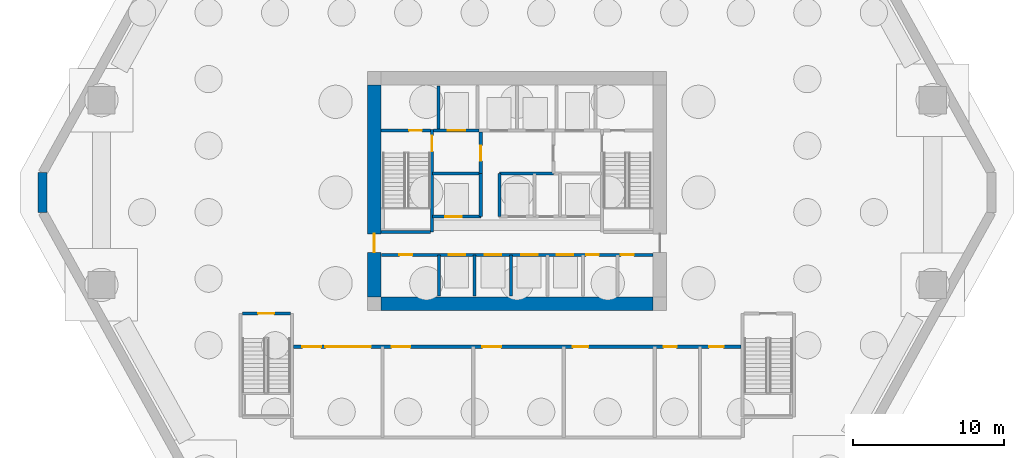
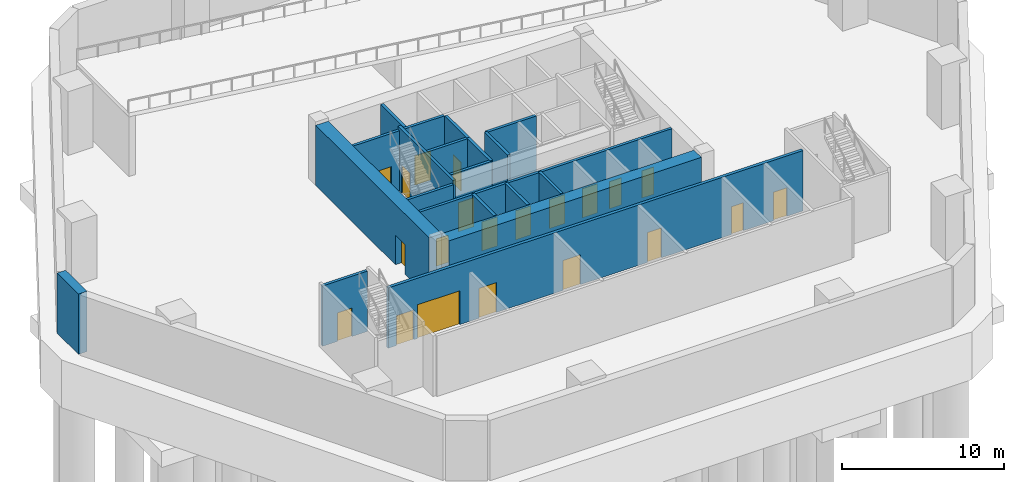
# One storey, part 3 of 9: 21 doors, 20 walls, 21 openings.
"""IFC4 building model written with IfcOpenShell, lengths in metres."""

import ifcopenshell
import ifcopenshell.guid

model = None  # the IFC model being written
_history = None  # IfcOwnerHistory: only IFC2X3 demands one
_inside = {}  # id of a spatial element -> (the spatial element, [elements in it])
_under = {}  # id of a project, library or spatial element -> (it, [spatial elements below it])
_declared = {}  # id of a project -> (the project, [libraries it declares])
_typed = {}  # id of a type object -> (the type object, [elements of that type])
_made_of = {}  # id of a material, layer set ... -> (it, [elements and type objects made of it])


def new_model(schema):
    """Start an empty IFC model of exactly this schema.

    Asked for "IFC4X3", IfcOpenShell would pick the latest addendum, in which some entities
    have other attributes; the version numbers below select the first issue.
    IFC2X3 requires an IfcOwnerHistory on every rooted entity: one is made here for all.
    """
    global model, _history
    if schema == "IFC4X3":
        model = ifcopenshell.file(schema_version=(4, 3, 0, 0))
    else:
        model = ifcopenshell.file(schema=schema)
    _inside.clear()
    _under.clear()
    _declared.clear()
    _typed.clear()
    _made_of.clear()
    _history = None
    if model.schema == "IFC2X3":
        org = make("IfcOrganization", Name="unknown")
        user = make(
            "IfcPersonAndOrganization",
            ThePerson=make("IfcPerson", FamilyName="unknown"),
            TheOrganization=org,
        )
        app = make(
            "IfcApplication",
            ApplicationDeveloper=org,
            Version="unknown",
            ApplicationFullName="unknown",
            ApplicationIdentifier="unknown",
        )
        _history = make(
            "IfcOwnerHistory",
            OwningUser=user,
            OwningApplication=app,
            ChangeAction="ADDED",
            CreationDate=0,
        )
    return model


def make(cls, **values):
    """One entity of the class cls with the attributes given. An attribute that is None is left unset."""
    return model.create_entity(
        cls, **{name: value for name, value in values.items() if value is not None}
    )


def rooted(cls, **values):
    """An entity with a GlobalId (a new one), such as an element, a storey or a relation."""
    return make(cls, GlobalId=ifcopenshell.guid.new(), OwnerHistory=_history, **values)


def si_unit(unit_type, name, prefix=None):
    """IfcSIUnit, for example si_unit("LENGTHUNIT", "METRE", prefix="MILLI")."""
    return make("IfcSIUnit", UnitType=unit_type, Prefix=prefix, Name=name)


def assignment(units):
    """IfcUnitAssignment: the units of a project."""
    return None if units is None else make("IfcUnitAssignment", Units=units)


def point(xyz):
    """IfcCartesianPoint."""
    return None if xyz is None else make("IfcCartesianPoint", Coordinates=xyz)


def direction(xyz):
    """IfcDirection."""
    return None if xyz is None else make("IfcDirection", DirectionRatios=xyz)


def frame(location, z_axis=None, x_axis=None):
    """IfcAxis2Placement3D, a coordinate frame: its origin and axes. An axis left out is left unset."""
    return make(
        "IfcAxis2Placement3D",
        Location=point(location),
        Axis=direction(z_axis),
        RefDirection=direction(x_axis),
    )


def frame_2d(location, x_axis=None):
    """IfcAxis2Placement2D, a coordinate frame in the plane: its origin and x axis."""
    return make(
        "IfcAxis2Placement2D", Location=point(location), RefDirection=direction(x_axis)
    )


def origin():
    """The frame at (0, 0, 0) with its axes left unset."""
    return frame((0.0, 0.0, 0.0))


def place(relative_to, where):
    """IfcLocalPlacement: puts the frame where relative to a parent placement (None: the world)."""
    return make(
        "IfcLocalPlacement", PlacementRelTo=relative_to, RelativePlacement=where
    )


def context(
    kind, dimensions, precision=None, world=None, true_north=None, identifier=None
):
    """IfcGeometricRepresentationContext, for example the 3D "Model" context."""
    return make(
        "IfcGeometricRepresentationContext",
        ContextIdentifier=identifier,
        ContextType=kind,
        CoordinateSpaceDimension=dimensions,
        Precision=precision,
        WorldCoordinateSystem=world,
        TrueNorth=true_north,
    )


def subcontext(parent, identifier, kind, view, scale=None):
    """IfcGeometricRepresentationSubContext, for example "Body" below "Model"."""
    return make(
        "IfcGeometricRepresentationSubContext",
        ContextIdentifier=identifier,
        ContextType=kind,
        ParentContext=parent,
        TargetScale=scale,
        TargetView=view,
    )


def project(units=None, contexts=None):
    """IfcProject with its units and contexts."""
    return rooted(
        "IfcProject",
        Name="project",
        RepresentationContexts=contexts,
        UnitsInContext=assignment(units),
    )


def spatial(cls, under=None, at=None, **own):
    """A site, building, storey or space (cls), placed at a placement, below another one or the project."""
    s = rooted(cls, ObjectPlacement=at, **own)
    if under is not None:
        _under.setdefault(under.id(), (under, []))[1].append(s)
    return s


def profile(cls, at=None, kind="AREA", **sizes):
    """A parametric profile (cls). Its sizes go by their IFC names, for example OverallWidth=200.0."""
    return make(cls, ProfileType=kind, Position=at, **sizes)


def rectangle(**sizes):
    """IfcRectangleProfileDef."""
    return profile("IfcRectangleProfileDef", **sizes)


def extrude(swept, where, along, depth):
    """IfcExtrudedAreaSolid: the profile swept, set in the frame where, extruded along a direction by depth."""
    return make(
        "IfcExtrudedAreaSolid",
        SweptArea=swept,
        Position=where,
        ExtrudedDirection=direction(along),
        Depth=depth,
    )


def shape(context_of_items, identifier, shape_type, items):
    """IfcShapeRepresentation: the items that make up one representation, for example the "Body"."""
    return make(
        "IfcShapeRepresentation",
        ContextOfItems=context_of_items,
        RepresentationIdentifier=identifier,
        RepresentationType=shape_type,
        Items=items,
    )


def material(Name=None, Category=None):
    """IfcMaterial."""
    return make("IfcMaterial", Name=Name, Category=Category)


def layer(
    of_material, thickness, ventilated=None, Name=None, Category=None, Priority=None
):
    """IfcMaterialLayer: one layer of a wall or slab, of a material (None: an air gap)."""
    return make(
        "IfcMaterialLayer",
        Material=of_material,
        LayerThickness=thickness,
        IsVentilated=ventilated,
        Name=Name,
        Category=Category,
        Priority=Priority,
    )


def layer_set(layers, Name=None):
    """IfcMaterialLayerSet."""
    return make("IfcMaterialLayerSet", MaterialLayers=layers, LayerSetName=Name)


def made_of(thing, what):
    """Note that an element or type object is made of a material, layer set ...; save() writes the relation."""
    if what is not None:
        _made_of.setdefault(what.id(), (what, []))[1].append(thing)
    return thing


def type_object(cls, material=None, **own):
    """A type object (cls), such as IfcWallType, which elements share."""
    return made_of(rooted(cls, **own), material)


def element(
    cls,
    number,
    at=None,
    inside=None,
    cuts=None,
    type_object=None,
    material=None,
    context=None,
    identifier="Body",
    shape_type=None,
    held_by="IfcProductDefinitionShape",
    body=None,
    shapes=None,
    **own,
):
    """One element of the class cls, such as IfcWall. Its Tag is "e" and its number.

    at: its placement. inside: the storey or other place that contains it. cuts: it is an
    opening in that element (IfcRelVoidsElement). A single representation is given by context,
    identifier, shape_type and body (its items); several are given by shapes. held_by: the class
    of the entity that holds the representations. save() writes the other relations.
    """
    e = rooted(cls, Tag="e%d" % number, ObjectPlacement=at, **own)
    if body is not None:
        shapes = [shape(context, identifier, shape_type, body)]
    if shapes is not None:
        e.Representation = make(held_by, Representations=shapes)
    if inside is not None:
        _inside.setdefault(inside.id(), (inside, []))[1].append(e)
    if cuts is not None:
        rooted(
            "IfcRelVoidsElement", RelatingBuildingElement=cuts, RelatedOpeningElement=e
        )
    if type_object is not None:
        _typed.setdefault(type_object.id(), (type_object, []))[1].append(e)
    return made_of(e, material)


def fill(opening, filler):
    """IfcRelFillsElement: the door or window that sits in an opening."""
    return rooted(
        "IfcRelFillsElement",
        RelatingOpeningElement=opening,
        RelatedBuildingElement=filler,
    )


def aggregate(whole, parts):
    """IfcRelAggregates: a whole, such as a stair, and the parts it consists of."""
    return rooted("IfcRelAggregates", RelatingObject=whole, RelatedObjects=parts)


def save(model, path):
    """Write the relations noted so far, then the file.

    IfcRelAggregates (storeys below a building ...), IfcRelContainedInSpatialStructure (elements
    in a storey), IfcRelDefinesByType, IfcRelAssociatesMaterial and IfcRelDeclares: one each for
    every whole, place, type object, material and project.
    """
    for whole, parts in _under.values():
        aggregate(whole, parts)
    for where, things in _inside.values():
        rooted(
            "IfcRelContainedInSpatialStructure",
            RelatedElements=things,
            RelatingStructure=where,
        )
    for kind, things in _typed.values():
        rooted("IfcRelDefinesByType", RelatedObjects=things, RelatingType=kind)
    for what, things in _made_of.values():
        rooted("IfcRelAssociatesMaterial", RelatedObjects=things, RelatingMaterial=what)
    for by, libraries in _declared.values():
        rooted("IfcRelDeclares", RelatingContext=by, RelatedDefinitions=libraries)
    model.write(path)


model = new_model("IFC4")

# Units and contexts
model_context = context("Model", 3, precision=1e-05, world=origin(), true_north=direction((0.0, 1.0)))
body_context = subcontext(model_context, "Body", "Model", "MODEL_VIEW")
ifc_project = project(units=[si_unit("LENGTHUNIT", "METRE"), si_unit("AREAUNIT", "SQUARE_METRE"), si_unit("VOLUMEUNIT", "CUBIC_METRE"), si_unit("PLANEANGLEUNIT", "RADIAN"), si_unit("MASSUNIT", "GRAM", prefix="KILO")], contexts=[model_context])

# Site, building, storey
site_placement = place(None, origin())
site = spatial("IfcSite", under=ifc_project, at=site_placement, CompositionType="ELEMENT")
building_placement = place(site_placement, origin())
building = spatial("IfcBuilding", under=site, at=building_placement, Name="Cinnabar Lancet Tower", CompositionType="ELEMENT")
storey_placement = place(building_placement, frame((0.0, 0.0, -4.800048828125)))
storey = spatial("IfcBuildingStorey", under=building, at=storey_placement, Name="B1", CompositionType="ELEMENT", Elevation=-4.800048828125)

# Wall, openings, doors
ifc_material_1 = material(Name="Acoustic masonry plant room wall", Category="masonry")
ifc_layer_1 = layer(ifc_material_1, 0.219970703125)
ifc_layer_set_1 = layer_set([ifc_layer_1], Name="Acoustic masonry plant room wall")
wall_type_1 = type_object("IfcWallType", Name="ARC-WL-PLANT-220", PredefinedType="PARTITIONING", material=ifc_layer_set_1)
wall_1_placement = place(storey_placement, frame((17.625, 15.60009765625, 0.0), z_axis=(0.0, 0.0, 1.0), x_axis=(1.0, 0.0, 0.0)))
wall_1 = element("IfcWall", 1, at=wall_1_placement, inside=storey, type_object=wall_type_1, Name="PW-B1-PLN", PredefinedType="PARTITIONING", context=body_context, shape_type="SweptSolid", body=[
    extrude(rectangle(XDim=29.590087890625, YDim=0.219970703125, at=frame_2d((14.794921875, 0.0))), origin(), (0.0, 0.0, 1.0), 4.550048828125),
])
opening_1_placement = place(wall_1_placement, frame((0.574951171875, 0.0, 0.0)))
opening_1 = element("IfcOpeningElement", 2, at=opening_1_placement, cuts=wall_1, Name="Opening PD-01", PredefinedType="OPENING", context=body_context, shape_type="SweptSolid", body=[
    extrude(rectangle(XDim=1.25, YDim=2.25, at=frame_2d((0.625, 1.125))), frame((0.0, 0.119873046875, 0.0), z_axis=(0.0, -1.0, 0.0), x_axis=(1.0, 0.0, 0.0)), (0.0, 0.0, 1.0), 0.239990234375),
])
opening_2_placement = place(wall_1_placement, frame((6.47509765625, 0.0, 0.0)))
opening_2 = element("IfcOpeningElement", 3, at=opening_2_placement, cuts=wall_1, Name="Opening PD-01", PredefinedType="OPENING", context=body_context, shape_type="SweptSolid", body=[
    extrude(rectangle(XDim=1.25, YDim=2.25, at=frame_2d((0.625, 1.125))), frame((0.0, 0.119873046875, 0.0), z_axis=(0.0, -1.0, 0.0), x_axis=(1.0, 0.0, 0.0)), (0.0, 0.0, 1.0), 0.239990234375),
])
opening_3_placement = place(wall_1_placement, frame((12.47509765625, 0.0, 0.0)))
opening_3 = element("IfcOpeningElement", 4, at=opening_3_placement, cuts=wall_1, Name="Opening PD-01", PredefinedType="OPENING", context=body_context, shape_type="SweptSolid", body=[
    extrude(rectangle(XDim=1.25, YDim=2.25, at=frame_2d((0.625, 1.125))), frame((0.0, 0.119873046875, 0.0), z_axis=(0.0, -1.0, 0.0), x_axis=(1.0, 0.0, 0.0)), (0.0, 0.0, 1.0), 0.239990234375),
])
opening_4_placement = place(wall_1_placement, frame((18.47509765625, 0.0, 0.0)))
opening_4 = element("IfcOpeningElement", 5, at=opening_4_placement, cuts=wall_1, Name="Opening UD-01", PredefinedType="OPENING", context=body_context, shape_type="SweptSolid", body=[
    extrude(rectangle(XDim=1.02001953125, YDim=2.25, at=frame_2d((0.510009765625, 1.125))), frame((0.0, 0.119873046875, 0.0), z_axis=(0.0, -1.0, 0.0), x_axis=(1.0, 0.0, 0.0)), (0.0, 0.0, 1.0), 0.239990234375),
])
opening_5_placement = place(wall_1_placement, frame((24.47509765625, 0.0, 0.0)))
opening_5 = element("IfcOpeningElement", 6, at=opening_5_placement, cuts=wall_1, Name="Opening BD-01", PredefinedType="OPENING", context=body_context, shape_type="SweptSolid", body=[
    extrude(rectangle(XDim=0.860107421875, YDim=2.10009765625, at=frame_2d((0.43017578125, 1.050048828125))), frame((0.0, 0.119873046875, 0.0), z_axis=(0.0, -1.0, 0.0), x_axis=(1.0, 0.0, 0.0)), (0.0, 0.0, 1.0), 0.239990234375),
])
opening_6_placement = place(wall_1_placement, frame((27.47509765625, 0.0, 0.0)))
opening_6 = element("IfcOpeningElement", 7, at=opening_6_placement, cuts=wall_1, Name="Opening BD-02", PredefinedType="OPENING", context=body_context, shape_type="SweptSolid", body=[
    extrude(rectangle(XDim=0.9599609375, YDim=2.14990234375, at=frame_2d((0.47998046875, 1.074951171875))), frame((0.0, 0.119873046875, 0.0), z_axis=(0.0, -1.0, 0.0), x_axis=(1.0, 0.0, 0.0)), (0.0, 0.0, 1.0), 0.239990234375),
])
opening_7_placement = place(wall_1_placement, frame((2.10009765625, 0.0, 0.0)))
opening_7 = element("IfcOpeningElement", 8, at=opening_7_placement, cuts=wall_1, Name="Opening SG-03", PredefinedType="OPENING", context=body_context, shape_type="SweptSolid", body=[
    extrude(rectangle(XDim=3.0, YDim=2.550048828125, at=frame_2d((1.5, 1.27490234375))), frame((0.0, 0.119873046875, 0.0), z_axis=(0.0, -1.0, 0.0), x_axis=(1.0, 0.0, 0.0)), (0.0, 0.0, 1.0), 0.239990234375),
])
ifc_material_2 = material(Name="Accessible wide-leaf washroom door", Category="wood")
door_type_1 = type_object("IfcDoorType", Name="ARC-DR-ACCWC", OperationType="NOTDEFINED", PredefinedType="DOOR", material=ifc_material_2)
door_1_placement = place(opening_6_placement, origin())
door_1 = element("IfcDoor", 9, at=door_1_placement, inside=storey, type_object=door_type_1, Name="DR-B1-ACCWC", OperationType="SINGLE_SWING_LEFT", OverallHeight=2.14990234375, OverallWidth=0.9599609375, PredefinedType="DOOR", context=body_context, shape_type="SweptSolid", body=[
    extrude(rectangle(XDim=0.9599609375, YDim=2.14990234375, at=frame_2d((0.47998046875, 1.074951171875))), frame((0.0, 0.02490234375, 0.0), z_axis=(0.0, -1.0, 0.0), x_axis=(1.0, 0.0, 0.0)), (0.0, 0.0, 1.0), 0.050048828125),
])
fill(opening_6, door_1)
ifc_material_3 = material(Name="Moisture-resistant timber bathroom door", Category="wood")
door_type_2 = type_object("IfcDoorType", Name="ARC-DR-BATH", OperationType="NOTDEFINED", PredefinedType="DOOR", material=ifc_material_3)
door_2_placement = place(opening_5_placement, origin())
door_2 = element("IfcDoor", 10, at=door_2_placement, inside=storey, type_object=door_type_2, Name="DR-B1-STFWC", OperationType="SINGLE_SWING_LEFT", OverallHeight=2.10009765625, OverallWidth=0.860107421875, PredefinedType="DOOR", context=body_context, shape_type="SweptSolid", body=[
    extrude(rectangle(XDim=0.860107421875, YDim=2.10009765625, at=frame_2d((0.43017578125, 1.050048828125))), frame((0.0, 0.02490234375, 0.0), z_axis=(0.0, -1.0, 0.0), x_axis=(1.0, 0.0, 0.0)), (0.0, 0.0, 1.0), 0.050048828125),
])
fill(opening_5, door_2)
ifc_material_4 = material(Name="Louvred fire-rated steel plant room double door", Category="steel")
door_type_3 = type_object("IfcDoorType", Name="ARC-DR-PLANT", OperationType="NOTDEFINED", PredefinedType="DOOR", material=ifc_material_4)
door_3_placement = place(opening_1_placement, origin())
door_3 = element("IfcDoor", 11, at=door_3_placement, inside=storey, type_object=door_type_3, Name="DR-B1-DOMPMP", OperationType="SINGLE_SWING_LEFT", OverallHeight=2.25, OverallWidth=1.25, PredefinedType="DOOR", context=body_context, shape_type="SweptSolid", body=[
    extrude(rectangle(XDim=1.25, YDim=2.25, at=frame_2d((0.625, 1.125))), frame((0.0, 0.02490234375, 0.0), z_axis=(0.0, -1.0, 0.0), x_axis=(1.0, 0.0, 0.0)), (0.0, 0.0, 1.0), 0.050048828125),
])
fill(opening_1, door_3)
door_4_placement = place(opening_2_placement, origin())
door_4 = element("IfcDoor", 12, at=door_4_placement, inside=storey, type_object=door_type_3, Name="DR-B1-SPRPMP", OperationType="SINGLE_SWING_LEFT", OverallHeight=2.25, OverallWidth=1.25, PredefinedType="DOOR", context=body_context, shape_type="SweptSolid", body=[
    extrude(rectangle(XDim=1.25, YDim=2.25, at=frame_2d((0.625, 1.125))), frame((0.0, 0.02490234375, 0.0), z_axis=(0.0, -1.0, 0.0), x_axis=(1.0, 0.0, 0.0)), (0.0, 0.0, 1.0), 0.050048828125),
])
fill(opening_2, door_4)
door_5_placement = place(opening_3_placement, origin())
door_5 = element("IfcDoor", 13, at=door_5_placement, inside=storey, type_object=door_type_3, Name="DR-B1-GENRM", OperationType="SINGLE_SWING_LEFT", OverallHeight=2.25, OverallWidth=1.25, PredefinedType="DOOR", context=body_context, shape_type="SweptSolid", body=[
    extrude(rectangle(XDim=1.25, YDim=2.25, at=frame_2d((0.625, 1.125))), frame((0.0, 0.02490234375, 0.0), z_axis=(0.0, -1.0, 0.0), x_axis=(1.0, 0.0, 0.0)), (0.0, 0.0, 1.0), 0.050048828125),
])
fill(opening_3, door_5)
ifc_material_5 = material(Name="Galvanized steel interior plant equipment gate", Category="steel")
door_type_4 = type_object("IfcDoorType", Name="ARC-DR-PLT-GATE", OperationType="NOTDEFINED", PredefinedType="GATE", material=ifc_material_5)
door_6_placement = place(opening_7_placement, origin())
door_6 = element("IfcDoor", 14, at=door_6_placement, inside=storey, type_object=door_type_4, Name="B1 Plant Equipment Access Gate 1", OperationType="DOUBLE_DOOR_SINGLE_SWING", OverallHeight=2.550048828125, OverallWidth=3.0, PredefinedType="GATE", context=body_context, shape_type="SweptSolid", body=[
    extrude(rectangle(XDim=3.0, YDim=2.550048828125, at=frame_2d((1.5, 1.27490234375))), frame((0.0, 0.02490234375, 0.0), z_axis=(0.0, -1.0, 0.0), x_axis=(1.0, 0.0, 0.0)), (0.0, 0.0, 1.0), 0.050048828125),
])
fill(opening_7, door_6)
ifc_material_6 = material(Name="Solid timber fire-rated apartment entrance door", Category="wood")
door_type_5 = type_object("IfcDoorType", Name="ARC-DR-UNIT", OperationType="NOTDEFINED", PredefinedType="DOOR", material=ifc_material_6)
door_7_placement = place(opening_4_placement, origin())
door_7 = element("IfcDoor", 15, at=door_7_placement, inside=storey, type_object=door_type_5, Name="DR-B1-CYCLE", OperationType="SINGLE_SWING_LEFT", OverallHeight=2.25, OverallWidth=1.02001953125, PredefinedType="DOOR", context=body_context, shape_type="SweptSolid", body=[
    extrude(rectangle(XDim=1.02001953125, YDim=2.25, at=frame_2d((0.510009765625, 1.125))), frame((0.0, 0.02490234375, 0.0), z_axis=(0.0, -1.0, 0.0), x_axis=(1.0, 0.0, 0.0)), (0.0, 0.0, 1.0), 0.050048828125),
])
fill(opening_4, door_7)

# Wall
ifc_material_7 = material(Name="Autoclaved aerated concrete blockwork", Category="masonry")
ifc_layer_2 = layer(ifc_material_7, 0.199951171875)
ifc_layer_set_2 = layer_set([ifc_layer_2], Name="Autoclaved aerated concrete blockwork")
wall_type_2 = type_object("IfcWallType", Name="ARC-WL-SHAFT-200", PredefinedType="PLUMBINGWALL", material=ifc_layer_set_2)
wall_2_placement = place(storey_placement, frame((23.405029296875, 23.199951171875, 0.0), z_axis=(0.0, 0.0, 1.0), x_axis=(1.0, 0.0, 0.0)))
element("IfcWall", 16, at=wall_2_placement, inside=storey, type_object=wall_type_2, Name="CW-ST1S-B1", PredefinedType="PLUMBINGWALL", context=body_context, shape_type="SweptSolid", body=[
    extrude(rectangle(XDim=3.27001953125, YDim=0.199951171875, at=frame_2d((1.635009765625, 0.0))), origin(), (0.0, 0.0, 1.0), 4.550048828125),
])

# Wall, opening, door
wall_3_placement = place(storey_placement, frame((23.405029296875, 29.89990234375, 0.0), z_axis=(0.0, 0.0, 1.0), x_axis=(1.0, 0.0, 0.0)))
wall_3 = element("IfcWall", 17, at=wall_3_placement, inside=storey, type_object=wall_type_2, Name="CW-NSH-W-B1", PredefinedType="PLUMBINGWALL", context=body_context, shape_type="SweptSolid", body=[
    extrude(rectangle(XDim=3.27001953125, YDim=0.199951171875, at=frame_2d((1.635009765625, 0.0))), origin(), (0.0, 0.0, 1.0), 4.550048828125),
])
opening_8_placement = place(wall_3_placement, frame((1.85009765625, 0.0, 0.0)))
opening_8 = element("IfcOpeningElement", 18, at=opening_8_placement, cuts=wall_3, Name="Opening PD-02", PredefinedType="OPENING", context=body_context, shape_type="SweptSolid", body=[
    extrude(rectangle(XDim=0.85009765625, YDim=2.050048828125, at=frame_2d((0.425048828125, 1.02490234375))), frame((0.0, 0.10986328125, 0.0), z_axis=(0.0, -1.0, 0.0), x_axis=(1.0, 0.0, 0.0)), (0.0, 0.0, 1.0), 0.219970703125),
])
ifc_material_8 = material(Name="Fire-rated steel riser access door", Category="steel")
door_type_6 = type_object("IfcDoorType", Name="ARC-DR-RISER", OperationType="NOTDEFINED", PredefinedType="DOOR", material=ifc_material_8)
door_8_placement = place(opening_8_placement, origin())
door_8 = element("IfcDoor", 19, at=door_8_placement, inside=storey, type_object=door_type_6, Name="B1 West Riser Access Door", OperationType="SINGLE_SWING_LEFT", OverallHeight=2.050048828125, OverallWidth=0.85009765625, PredefinedType="DOOR", context=body_context, shape_type="SweptSolid", body=[
    extrude(rectangle(XDim=0.85009765625, YDim=2.050048828125, at=frame_2d((0.425048828125, 1.02490234375))), frame((0.0, 0.02490234375, 0.0), z_axis=(0.0, -1.0, 0.0), x_axis=(1.0, 0.0, 0.0)), (0.0, 0.0, 1.0), 0.050048828125),
])
fill(opening_8, door_8)

wall_4_placement = place(storey_placement, frame((26.885009765625, 29.89990234375, 0.0), z_axis=(0.0, 0.0, 1.0), x_axis=(1.0, 0.0, 0.0)))
wall_4 = element("IfcWall", 20, at=wall_4_placement, inside=storey, type_object=wall_type_2, Name="CW-FL1-B1", PredefinedType="PLUMBINGWALL", context=body_context, shape_type="SweptSolid", body=[
    extrude(rectangle(XDim=3.014892578125, YDim=0.199951171875, at=frame_2d((1.50732421875, 0.0))), origin(), (0.0, 0.0, 1.0), 4.550048828125),
])
opening_9_placement = place(wall_4_placement, frame((0.93994140625, 0.0, 0.0)))
opening_9 = element("IfcOpeningElement", 21, at=opening_9_placement, cuts=wall_4, Name="Opening LD-02", PredefinedType="OPENING", context=body_context, shape_type="SweptSolid", body=[
    extrude(rectangle(XDim=1.14990234375, YDim=2.199951171875, at=frame_2d((0.574951171875, 1.10009765625))), frame((0.0, 0.10986328125, 0.0), z_axis=(0.0, -1.0, 0.0), x_axis=(1.0, 0.0, 0.0)), (0.0, 0.0, 1.0), 0.219970703125),
])
ifc_material_9 = material(Name="Fire-rated stainless steel firefighting lift landing door", Category="steel")
door_type_7 = type_object("IfcDoorType", Name="ARC-DR-LD-FIRE", OperationType="NOTDEFINED", PredefinedType="DOOR", material=ifc_material_9)
door_9_placement = place(opening_9_placement, origin())
door_9 = element("IfcDoor", 22, at=door_9_placement, inside=storey, type_object=door_type_7, Name="B1 Firefighting Lift FL-1 Landing Door", OperationType="DOUBLE_DOOR_SLIDING", OverallHeight=2.199951171875, OverallWidth=1.14990234375, PredefinedType="DOOR", context=body_context, shape_type="SweptSolid", body=[
    extrude(rectangle(XDim=1.14990234375, YDim=2.199951171875, at=frame_2d((0.574951171875, 1.10009765625))), frame((0.0, 0.02490234375, 0.0), z_axis=(0.0, -1.0, 0.0), x_axis=(1.0, 0.0, 0.0)), (0.0, 0.0, 1.0), 0.050048828125),
])
fill(opening_9, door_9)

# Wall
wall_5_placement = place(storey_placement, frame((27.199951171875, 30.0, 0.0), z_axis=(0.0, 0.0, 1.0), x_axis=(0.0, 1.0, 0.0)))
element("IfcWall", 23, at=wall_5_placement, inside=storey, type_object=wall_type_2, Name="CW-NSH-D1-B1", PredefinedType="PLUMBINGWALL", context=body_context, shape_type="SweptSolid", body=[
    extrude(rectangle(XDim=2.85009765625, YDim=0.199951171875, at=frame_2d((1.425048828125, 0.0))), origin(), (0.0, 0.0, 1.0), 4.550048828125),
])

# Wall, opening, door
wall_6_placement = place(storey_placement, frame((30.0, 27.050048828125, 0.0), z_axis=(0.0, 0.0, 1.0), x_axis=(0.0, 1.0, 0.0)))
wall_6 = element("IfcWall", 24, at=wall_6_placement, inside=storey, type_object=wall_type_2, Name="CW-FF1E-B1", PredefinedType="PLUMBINGWALL", context=body_context, shape_type="SweptSolid", body=[
    extrude(rectangle(XDim=2.75, YDim=0.199951171875, at=frame_2d((1.375, 0.0))), origin(), (0.0, 0.0, 1.0), 4.550048828125),
])
opening_10_placement = place(wall_6_placement, frame((0.85009765625, 0.0, 0.0)))
opening_10 = element("IfcOpeningElement", 25, at=opening_10_placement, cuts=wall_6, Name="Opening FD-01", PredefinedType="OPENING", context=body_context, shape_type="SweptSolid", body=[
    extrude(rectangle(XDim=1.0, YDim=2.14990234375, at=frame_2d((0.5, 1.074951171875))), frame((0.0, 0.10986328125, 0.0), z_axis=(0.0, -1.0, 0.0), x_axis=(1.0, 0.0, 0.0)), (0.0, 0.0, 1.0), 0.219970703125),
])
ifc_material_10 = material(Name="Fire-rated timber-core lobby door", Category="wood")
door_type_8 = type_object("IfcDoorType", Name="ARC-DR-FFAL", OperationType="NOTDEFINED", PredefinedType="DOOR", material=ifc_material_10)
door_10_placement = place(opening_10_placement, origin())
door_10 = element("IfcDoor", 26, at=door_10_placement, inside=storey, type_object=door_type_8, Name="B1 FFAL-1 Lobby Fire Door", OperationType="SINGLE_SWING_RIGHT", OverallHeight=2.14990234375, OverallWidth=1.0, PredefinedType="DOOR", context=body_context, shape_type="SweptSolid", body=[
    extrude(rectangle(XDim=1.0, YDim=2.14990234375, at=frame_2d((0.5, 1.074951171875))), frame((0.0, 0.02490234375, 0.0), z_axis=(0.0, -1.0, 0.0), x_axis=(1.0, 0.0, 0.0)), (0.0, 0.0, 1.0), 0.050048828125),
])
fill(opening_10, door_10)

# Wall
wall_7_placement = place(storey_placement, frame((26.800048828125, 27.050048828125, 0.0), z_axis=(0.0, 0.0, 1.0), x_axis=(1.0, 0.0, 0.0)))
element("IfcWall", 27, at=wall_7_placement, inside=storey, type_object=wall_type_2, Name="CW-FF1S-B1", PredefinedType="PLUMBINGWALL", context=body_context, shape_type="SweptSolid", body=[
    extrude(rectangle(XDim=3.199951171875, YDim=0.199951171875, at=frame_2d((1.60009765625, 0.0))), origin(), (0.0, 0.0, 1.0), 4.550048828125),
])

# Wall, opening, door
wall_8_placement = place(storey_placement, frame((26.800048828125, 24.199951171875, 0.0), z_axis=(0.0, 0.0, 1.0), x_axis=(1.0, 0.0, 0.0)))
wall_8 = element("IfcWall", 28, at=wall_8_placement, inside=storey, type_object=wall_type_2, Name="CW-PL5S-B1", PredefinedType="PLUMBINGWALL", context=body_context, shape_type="SweptSolid", body=[
    extrude(rectangle(XDim=3.199951171875, YDim=0.199951171875, at=frame_2d((1.60009765625, 0.0))), origin(), (0.0, 0.0, 1.0), 4.550048828125),
])
opening_11_placement = place(wall_8_placement, frame((0.85009765625, 0.0, 0.0)))
opening_11 = element("IfcOpeningElement", 29, at=opening_11_placement, cuts=wall_8, Name="Opening LD-01", PredefinedType="OPENING", context=body_context, shape_type="SweptSolid", body=[
    extrude(rectangle(XDim=1.10009765625, YDim=2.199951171875, at=frame_2d((0.550048828125, 1.10009765625))), frame((0.0, 0.10986328125, 0.0), z_axis=(0.0, -1.0, 0.0), x_axis=(1.0, 0.0, 0.0)), (0.0, 0.0, 1.0), 0.219970703125),
])
ifc_material_11 = material(Name="Brushed stainless steel sliding lift door", Category="steel")
door_type_9 = type_object("IfcDoorType", Name="ARC-DR-LD-PASS", OperationType="NOTDEFINED", PredefinedType="DOOR", material=ifc_material_11)
door_11_placement = place(opening_11_placement, origin())
door_11 = element("IfcDoor", 30, at=door_11_placement, inside=storey, type_object=door_type_9, Name="B1 Lift PL-5 Landing Door", OperationType="DOUBLE_DOOR_SLIDING", OverallHeight=2.199951171875, OverallWidth=1.10009765625, PredefinedType="DOOR", context=body_context, shape_type="SweptSolid", body=[
    extrude(rectangle(XDim=1.10009765625, YDim=2.199951171875, at=frame_2d((0.550048828125, 1.10009765625))), frame((0.0, 0.02490234375, 0.0), z_axis=(0.0, -1.0, 0.0), x_axis=(1.0, 0.0, 0.0)), (0.0, 0.0, 1.0), 0.050048828125),
])
fill(opening_11, door_11)

# Walls
for number, where, z_axis, x_axis, name in (
    (31, (30.0, 24.199951171875, 0.0), (0.0, 0.0, 1.0), (0.0, 1.0, 0.0), "CW-PL5E-B1"),
    (32, (31.25, 24.199951171875, 0.0), (0.0, 0.0, 1.0), (0.0, 1.0, 0.0), "CW-PL9W-B1"),
):
    element("IfcWall", number, at=place(storey_placement, frame(where, z_axis=z_axis, x_axis=x_axis)), inside=storey, type_object=wall_type_2, Name=name, PredefinedType="PLUMBINGWALL", context=body_context, shape_type="SweptSolid", body=[
        extrude(rectangle(XDim=2.85009765625, YDim=0.199951171875, at=frame_2d((1.425048828125, 0.0))), origin(), (0.0, 0.0, 1.0), 4.550048828125),
    ])
wall_9_placement = place(storey_placement, frame((31.25, 27.050048828125, 0.0), z_axis=(0.0, 0.0, 1.0), x_axis=(1.0, 0.0, 0.0)))
element("IfcWall", 33, at=wall_9_placement, inside=storey, type_object=wall_type_2, Name="CW-PL96N-B1", PredefinedType="PLUMBINGWALL", context=body_context, shape_type="SweptSolid", body=[
    extrude(rectangle(XDim=3.550048828125, YDim=0.199951171875, at=frame_2d((1.77490234375, 0.0))), origin(), (0.0, 0.0, 1.0), 4.550048828125),
])

# Wall, openings, doors
wall_10_placement = place(storey_placement, frame((23.419921875, 21.679931640625, 0.0), z_axis=(0.0, 0.0, 1.0), x_axis=(1.0, 0.0, 0.0)))
wall_10 = element("IfcWall", 34, at=wall_10_placement, inside=storey, type_object=wall_type_2, Name="CW-SBANDN-B1", PredefinedType="PLUMBINGWALL", context=body_context, shape_type="SweptSolid", body=[
    extrude(rectangle(XDim=17.9599609375, YDim=0.199951171875, at=frame_2d((8.97998046875, 0.0))), origin(), (0.0, 0.0, 1.0), 4.550048828125),
])
opening_12_placement = place(wall_10_placement, frame((4.449951171875, 0.0, 0.0)))
opening_12 = element("IfcOpeningElement", 35, at=opening_12_placement, cuts=wall_10, Name="Opening LD-01", PredefinedType="OPENING", context=body_context, shape_type="SweptSolid", body=[
    extrude(rectangle(XDim=1.10009765625, YDim=2.199951171875, at=frame_2d((0.550048828125, 1.10009765625))), frame((0.0, 0.10986328125, 0.0), z_axis=(0.0, -1.0, 0.0), x_axis=(1.0, 0.0, 0.0)), (0.0, 0.0, 1.0), 0.219970703125),
])
opening_13_placement = place(wall_10_placement, frame((6.85009765625, 0.0, 0.0)))
opening_13 = element("IfcOpeningElement", 36, at=opening_13_placement, cuts=wall_10, Name="Opening LD-01", PredefinedType="OPENING", context=body_context, shape_type="SweptSolid", body=[
    extrude(rectangle(XDim=1.10009765625, YDim=2.199951171875, at=frame_2d((0.550048828125, 1.10009765625))), frame((0.0, 0.10986328125, 0.0), z_axis=(0.0, -1.0, 0.0), x_axis=(1.0, 0.0, 0.0)), (0.0, 0.0, 1.0), 0.219970703125),
])
opening_14_placement = place(wall_10_placement, frame((9.25, 0.0, 0.0)))
opening_14 = element("IfcOpeningElement", 37, at=opening_14_placement, cuts=wall_10, Name="Opening LD-01", PredefinedType="OPENING", context=body_context, shape_type="SweptSolid", body=[
    extrude(rectangle(XDim=1.10009765625, YDim=2.199951171875, at=frame_2d((0.550048828125, 1.10009765625))), frame((0.0, 0.10986328125, 0.0), z_axis=(0.0, -1.0, 0.0), x_axis=(1.0, 0.0, 0.0)), (0.0, 0.0, 1.0), 0.219970703125),
])
opening_15_placement = place(wall_10_placement, frame((11.60009765625, 0.0, 0.0)))
opening_15 = element("IfcOpeningElement", 38, at=opening_15_placement, cuts=wall_10, Name="Opening LD-01", PredefinedType="OPENING", context=body_context, shape_type="SweptSolid", body=[
    extrude(rectangle(XDim=1.10009765625, YDim=2.199951171875, at=frame_2d((0.550048828125, 1.10009765625))), frame((0.0, 0.10986328125, 0.0), z_axis=(0.0, -1.0, 0.0), x_axis=(1.0, 0.0, 0.0)), (0.0, 0.0, 1.0), 0.219970703125),
])
opening_16_placement = place(wall_10_placement, frame((1.199951171875, 0.0, 0.0)))
opening_16 = element("IfcOpeningElement", 39, at=opening_16_placement, cuts=wall_10, Name="Opening PD-02", PredefinedType="OPENING", context=body_context, shape_type="SweptSolid", body=[
    extrude(rectangle(XDim=0.85009765625, YDim=2.050048828125, at=frame_2d((0.425048828125, 1.02490234375))), frame((0.0, 0.10986328125, 0.0), z_axis=(0.0, -1.0, 0.0), x_axis=(1.0, 0.0, 0.0)), (0.0, 0.0, 1.0), 0.219970703125),
])
opening_17_placement = place(wall_10_placement, frame((13.550048828125, 0.0, 0.0)))
opening_17 = element("IfcOpeningElement", 40, at=opening_17_placement, cuts=wall_10, Name="Opening PD-02", PredefinedType="OPENING", context=body_context, shape_type="SweptSolid", body=[
    extrude(rectangle(XDim=0.85009765625, YDim=2.050048828125, at=frame_2d((0.425048828125, 1.02490234375))), frame((0.0, 0.10986328125, 0.0), z_axis=(0.0, -1.0, 0.0), x_axis=(1.0, 0.0, 0.0)), (0.0, 0.0, 1.0), 0.219970703125),
])
opening_18_placement = place(wall_10_placement, frame((15.85009765625, 0.0, 0.0)))
opening_18 = element("IfcOpeningElement", 41, at=opening_18_placement, cuts=wall_10, Name="Opening PD-02", PredefinedType="OPENING", context=body_context, shape_type="SweptSolid", body=[
    extrude(rectangle(XDim=0.85009765625, YDim=2.050048828125, at=frame_2d((0.425048828125, 1.02490234375))), frame((0.0, 0.10986328125, 0.0), z_axis=(0.0, -1.0, 0.0), x_axis=(1.0, 0.0, 0.0)), (0.0, 0.0, 1.0), 0.219970703125),
])
door_12_placement = place(opening_12_placement, origin())
door_12 = element("IfcDoor", 42, at=door_12_placement, inside=storey, type_object=door_type_9, Name="B1 Lift PL-1 Landing Door", OperationType="DOUBLE_DOOR_SLIDING", OverallHeight=2.199951171875, OverallWidth=1.10009765625, PredefinedType="DOOR", context=body_context, shape_type="SweptSolid", body=[
    extrude(rectangle(XDim=1.10009765625, YDim=2.199951171875, at=frame_2d((0.550048828125, 1.10009765625))), frame((0.0, 0.02490234375, 0.0), z_axis=(0.0, -1.0, 0.0), x_axis=(1.0, 0.0, 0.0)), (0.0, 0.0, 1.0), 0.050048828125),
])
fill(opening_12, door_12)
door_13_placement = place(opening_13_placement, origin())
door_13 = element("IfcDoor", 43, at=door_13_placement, inside=storey, type_object=door_type_9, Name="B1 Lift PL-2 Landing Door", OperationType="DOUBLE_DOOR_SLIDING", OverallHeight=2.199951171875, OverallWidth=1.10009765625, PredefinedType="DOOR", context=body_context, shape_type="SweptSolid", body=[
    extrude(rectangle(XDim=1.10009765625, YDim=2.199951171875, at=frame_2d((0.550048828125, 1.10009765625))), frame((0.0, 0.02490234375, 0.0), z_axis=(0.0, -1.0, 0.0), x_axis=(1.0, 0.0, 0.0)), (0.0, 0.0, 1.0), 0.050048828125),
])
fill(opening_13, door_13)
door_14_placement = place(opening_14_placement, origin())
door_14 = element("IfcDoor", 44, at=door_14_placement, inside=storey, type_object=door_type_9, Name="B1 Lift PL-3 Landing Door", OperationType="DOUBLE_DOOR_SLIDING", OverallHeight=2.199951171875, OverallWidth=1.10009765625, PredefinedType="DOOR", context=body_context, shape_type="SweptSolid", body=[
    extrude(rectangle(XDim=1.10009765625, YDim=2.199951171875, at=frame_2d((0.550048828125, 1.10009765625))), frame((0.0, 0.02490234375, 0.0), z_axis=(0.0, -1.0, 0.0), x_axis=(1.0, 0.0, 0.0)), (0.0, 0.0, 1.0), 0.050048828125),
])
fill(opening_14, door_14)
door_15_placement = place(opening_15_placement, origin())
door_15 = element("IfcDoor", 45, at=door_15_placement, inside=storey, type_object=door_type_9, Name="B1 Lift PL-4 Landing Door", OperationType="DOUBLE_DOOR_SLIDING", OverallHeight=2.199951171875, OverallWidth=1.10009765625, PredefinedType="DOOR", context=body_context, shape_type="SweptSolid", body=[
    extrude(rectangle(XDim=1.10009765625, YDim=2.199951171875, at=frame_2d((0.550048828125, 1.10009765625))), frame((0.0, 0.02490234375, 0.0), z_axis=(0.0, -1.0, 0.0), x_axis=(1.0, 0.0, 0.0)), (0.0, 0.0, 1.0), 0.050048828125),
])
fill(opening_15, door_15)
door_16_placement = place(opening_16_placement, origin())
door_16 = element("IfcDoor", 46, at=door_16_placement, inside=storey, type_object=door_type_6, Name="DR-B1-SW1", OperationType="SINGLE_SWING_LEFT", OverallHeight=2.050048828125, OverallWidth=0.85009765625, PredefinedType="DOOR", context=body_context, shape_type="SweptSolid", body=[
    extrude(rectangle(XDim=0.85009765625, YDim=2.050048828125, at=frame_2d((0.425048828125, 1.02490234375))), frame((0.0, 0.02490234375, 0.0), z_axis=(0.0, -1.0, 0.0), x_axis=(1.0, 0.0, 0.0)), (0.0, 0.0, 1.0), 0.050048828125),
])
fill(opening_16, door_16)
door_17_placement = place(opening_17_placement, origin())
door_17 = element("IfcDoor", 47, at=door_17_placement, inside=storey, type_object=door_type_6, Name="DR-B1-SE1", OperationType="SINGLE_SWING_LEFT", OverallHeight=2.050048828125, OverallWidth=0.85009765625, PredefinedType="DOOR", context=body_context, shape_type="SweptSolid", body=[
    extrude(rectangle(XDim=0.85009765625, YDim=2.050048828125, at=frame_2d((0.425048828125, 1.02490234375))), frame((0.0, 0.02490234375, 0.0), z_axis=(0.0, -1.0, 0.0), x_axis=(1.0, 0.0, 0.0)), (0.0, 0.0, 1.0), 0.050048828125),
])
fill(opening_17, door_17)
door_18_placement = place(opening_18_placement, origin())
door_18 = element("IfcDoor", 48, at=door_18_placement, inside=storey, type_object=door_type_6, Name="DR-B1-SE2", OperationType="SINGLE_SWING_RIGHT", OverallHeight=2.050048828125, OverallWidth=0.85009765625, PredefinedType="DOOR", context=body_context, shape_type="SweptSolid", body=[
    extrude(rectangle(XDim=0.85009765625, YDim=2.050048828125, at=frame_2d((0.425048828125, 1.02490234375))), frame((0.0, 0.02490234375, 0.0), z_axis=(0.0, -1.0, 0.0), x_axis=(1.0, 0.0, 0.0)), (0.0, 0.0, 1.0), 0.050048828125),
])
fill(opening_18, door_18)

# Walls
for number, where, z_axis, x_axis, name in (
    (49, (27.25, 18.949951171875, 0.0), (0.0, 0.0, 1.0), (0.0, 1.0, 0.0), "CW-SB-2725-B1"),
    (50, (29.60009765625, 18.949951171875, 0.0), (0.0, 0.0, 1.0), (0.0, 1.0, 0.0), "CW-SB-2960-B1"),
    (51, (32.0, 18.949951171875, 0.0), (0.0, 0.0, 1.0), (0.0, 1.0, 0.0), "CW-SB-3200-B1"),
):
    element("IfcWall", number, at=place(storey_placement, frame(where, z_axis=z_axis, x_axis=x_axis)), inside=storey, type_object=wall_type_2, Name=name, PredefinedType="PLUMBINGWALL", context=body_context, shape_type="SweptSolid", body=[
        extrude(rectangle(XDim=2.72998046875, YDim=0.199951171875, at=frame_2d((1.364990234375, 0.0))), origin(), (0.0, 0.0, 1.0), 4.550048828125),
    ])

# Wall, opening, door
wall_11_placement = place(storey_placement, frame((14.22509765625, 17.800048828125, 0.0), z_axis=(0.0, 0.0, 1.0), x_axis=(1.0, 0.0, 0.0)))
wall_11 = element("IfcWall", 52, at=wall_11_placement, inside=storey, type_object=wall_type_2, Name="PW-ST3N-B1", PredefinedType="PLUMBINGWALL", context=body_context, shape_type="SweptSolid", body=[
    extrude(rectangle(XDim=3.18994140625, YDim=0.199951171875, at=frame_2d((1.594970703125, 0.0))), origin(), (0.0, 0.0, 1.0), 4.550048828125),
])
opening_19_placement = place(wall_11_placement, frame((1.050048828125, 0.0, 0.0)))
opening_19 = element("IfcOpeningElement", 53, at=opening_19_placement, cuts=wall_11, Name="Opening SD-01", PredefinedType="OPENING", context=body_context, shape_type="SweptSolid", body=[
    extrude(rectangle(XDim=1.050048828125, YDim=2.14990234375, at=frame_2d((0.52490234375, 1.074951171875))), frame((0.0, 0.10986328125, 0.0), z_axis=(0.0, -1.0, 0.0), x_axis=(1.0, 0.0, 0.0)), (0.0, 0.0, 1.0), 0.219970703125),
])
ifc_material_12 = material(Name="Fire-rated steel stair exit door", Category="steel")
door_type_10 = type_object("IfcDoorType", Name="ARC-DR-STAIR", OperationType="NOTDEFINED", PredefinedType="DOOR", material=ifc_material_12)
door_19_placement = place(opening_19_placement, origin())
door_19 = element("IfcDoor", 54, at=door_19_placement, inside=storey, type_object=door_type_10, Name="B1 Podium Stair ST-3 Fire Door", OperationType="SINGLE_SWING_LEFT", OverallHeight=2.14990234375, OverallWidth=1.050048828125, PredefinedType="DOOR", context=body_context, shape_type="SweptSolid", body=[
    extrude(rectangle(XDim=1.050048828125, YDim=2.14990234375, at=frame_2d((0.52490234375, 1.074951171875))), frame((0.0, 0.02490234375, 0.0), z_axis=(0.0, -1.0, 0.0), x_axis=(1.0, 0.0, 0.0)), (0.0, 0.0, 1.0), 0.050048828125),
])
fill(opening_19, door_19)

# Wall
ifc_material_13 = material(Name="Concrete C80/95", Category="concrete")
ifc_layer_3 = layer(ifc_material_13, 0.89990234375)
ifc_layer_set_3 = layer_set([ifc_layer_3], Name="Concrete C80/95")
wall_type_3 = type_object("IfcWallType", Name="STR-WL-CORE-900", PredefinedType="SHEAR", material=ifc_layer_set_3)
wall_12_placement = place(storey_placement, frame((23.39990234375, 18.449951171875, 0.0), z_axis=(0.0, 0.0, 1.0), x_axis=(1.0, 0.0, 0.0)))
element("IfcWall", 55, at=wall_12_placement, inside=storey, type_object=wall_type_3, Name="B1 Core Shear Wall S", PredefinedType="SHEAR", context=body_context, shape_type="SweptSolid", body=[
    extrude(rectangle(XDim=18.0, YDim=0.89990234375, at=frame_2d((9.0, 0.0))), origin(), (0.0, 0.0, 1.0), 4.550048828125),
])

# Wall, opening, door
wall_13_placement = place(storey_placement, frame((22.949951171875, 18.89990234375, 0.0), z_axis=(0.0, 0.0, 1.0), x_axis=(0.0, 1.0, 0.0)))
wall_13 = element("IfcWall", 56, at=wall_13_placement, inside=storey, type_object=wall_type_3, Name="B1 Core Shear Wall W", PredefinedType="SHEAR", context=body_context, shape_type="SweptSolid", body=[
    extrude(rectangle(XDim=14.0, YDim=0.89990234375, at=frame_2d((7.0, 0.0))), origin(), (0.0, 0.0, 1.0), 4.550048828125),
])
opening_20_placement = place(wall_13_placement, frame((2.93994140625, 0.0, 0.0)))
opening_20 = element("IfcOpeningElement", 57, at=opening_20_placement, cuts=wall_13, Name="Opening FD-02", PredefinedType="OPENING", context=body_context, shape_type="SweptSolid", body=[
    extrude(rectangle(XDim=1.219970703125, YDim=2.25, at=frame_2d((0.60986328125, 1.125))), frame((0.0, 0.4599609375, 0.0), z_axis=(0.0, -1.0, 0.0), x_axis=(1.0, 0.0, 0.0)), (0.0, 0.0, 1.0), 0.919921875),
])
ifc_material_14 = material(Name="Fire-rated double-vision core portal door", Category="wood")
door_type_11 = type_object("IfcDoorType", Name="ARC-DR-CPORT", OperationType="NOTDEFINED", PredefinedType="DOOR", material=ifc_material_14)
door_20_placement = place(opening_20_placement, origin())
door_20 = element("IfcDoor", 58, at=door_20_placement, inside=storey, type_object=door_type_11, Name="B1 West Core Lobby Fire Door", OperationType="SINGLE_SWING_RIGHT", OverallHeight=2.25, OverallWidth=1.219970703125, PredefinedType="DOOR", context=body_context, shape_type="SweptSolid", body=[
    extrude(rectangle(XDim=1.219970703125, YDim=2.25, at=frame_2d((0.60986328125, 1.125))), frame((0.0, 0.02490234375, 0.0), z_axis=(0.0, -1.0, 0.0), x_axis=(1.0, 0.0, 0.0)), (0.0, 0.0, 1.0), 0.050048828125),
])
fill(opening_20, door_20)

# Wall
ifc_material_15 = material(Name="Concrete C50/60", Category="concrete")
ifc_layer_4 = layer(ifc_material_15, 0.60009765625)
ifc_layer_set_4 = layer_set([ifc_layer_4], Name="Concrete C50/60")
wall_type_4 = type_object("IfcWallType", Name="STR-WL-RET-600", PredefinedType="USERDEFINED", material=ifc_layer_set_4)
wall_14_placement = place(storey_placement, frame((1.027099609375, 27.112060546875, 0.0), z_axis=(0.0, 0.0, 1.0), x_axis=(0.0, -1.0, 0.0)))
element("IfcWall", 59, at=wall_14_placement, inside=storey, type_object=wall_type_4, Name="Basement B1 Waterproof Retaining Wall 11", ObjectType="RETAININGWALL", PredefinedType="USERDEFINED", context=body_context, shape_type="SweptSolid", body=[
    extrude(rectangle(XDim=2.6240234375, YDim=0.60009765625, at=frame_2d((1.31201171875, 0.0))), origin(), (0.0, 0.0, 1.0), 4.550048828125),
])

# Wall, opening, door
ifc_material_16 = material(Name="Concrete C50/60", Category="concrete")
ifc_layer_5 = layer(ifc_material_16, 0.199951171875)
ifc_layer_set_5 = layer_set([ifc_layer_5], Name="Concrete C50/60")
wall_type_5 = type_object("IfcWallType", Name="STR-WL-STAIR-200", PredefinedType="SHEAR", material=ifc_layer_set_5)
wall_15_placement = place(storey_placement, frame((26.780029296875, 23.199951171875, 0.0), z_axis=(0.0, 0.0, 1.0), x_axis=(0.0, 1.0, 0.0)))
wall_15 = element("IfcWall", 60, at=wall_15_placement, inside=storey, type_object=wall_type_5, Name="B1 Stair ST-1 Structural Enclosure Wall", PredefinedType="SHEAR", context=body_context, shape_type="SweptSolid", body=[
    extrude(rectangle(XDim=6.780029296875, YDim=0.199951171875, at=frame_2d((3.39013671875, 0.0))), origin(), (0.0, 0.0, 1.0), 4.800048828125),
])
opening_21_placement = place(wall_15_placement, frame((5.320068359375, 0.0, 0.0)))
opening_21 = element("IfcOpeningElement", 61, at=opening_21_placement, cuts=wall_15, Name="Opening SD-01", PredefinedType="OPENING", context=body_context, shape_type="SweptSolid", body=[
    extrude(rectangle(XDim=1.050048828125, YDim=2.14990234375, at=frame_2d((0.52490234375, 1.074951171875))), frame((0.0, 0.10986328125, 0.0), z_axis=(0.0, -1.0, 0.0), x_axis=(1.0, 0.0, 0.0)), (0.0, 0.0, 1.0), 0.219970703125),
])
door_21_placement = place(opening_21_placement, origin())
door_21 = element("IfcDoor", 62, at=door_21_placement, inside=storey, type_object=door_type_10, Name="B1 Stair ST-1 Fire Door", OperationType="SINGLE_SWING_LEFT", OverallHeight=2.14990234375, OverallWidth=1.050048828125, PredefinedType="DOOR", context=body_context, shape_type="SweptSolid", body=[
    extrude(rectangle(XDim=1.050048828125, YDim=2.14990234375, at=frame_2d((0.52490234375, 1.074951171875))), frame((0.0, 0.02490234375, 0.0), z_axis=(0.0, -1.0, 0.0), x_axis=(1.0, 0.0, 0.0)), (0.0, 0.0, 1.0), 0.050048828125),
])
fill(opening_21, door_21)

save(model, "model.ifc")
